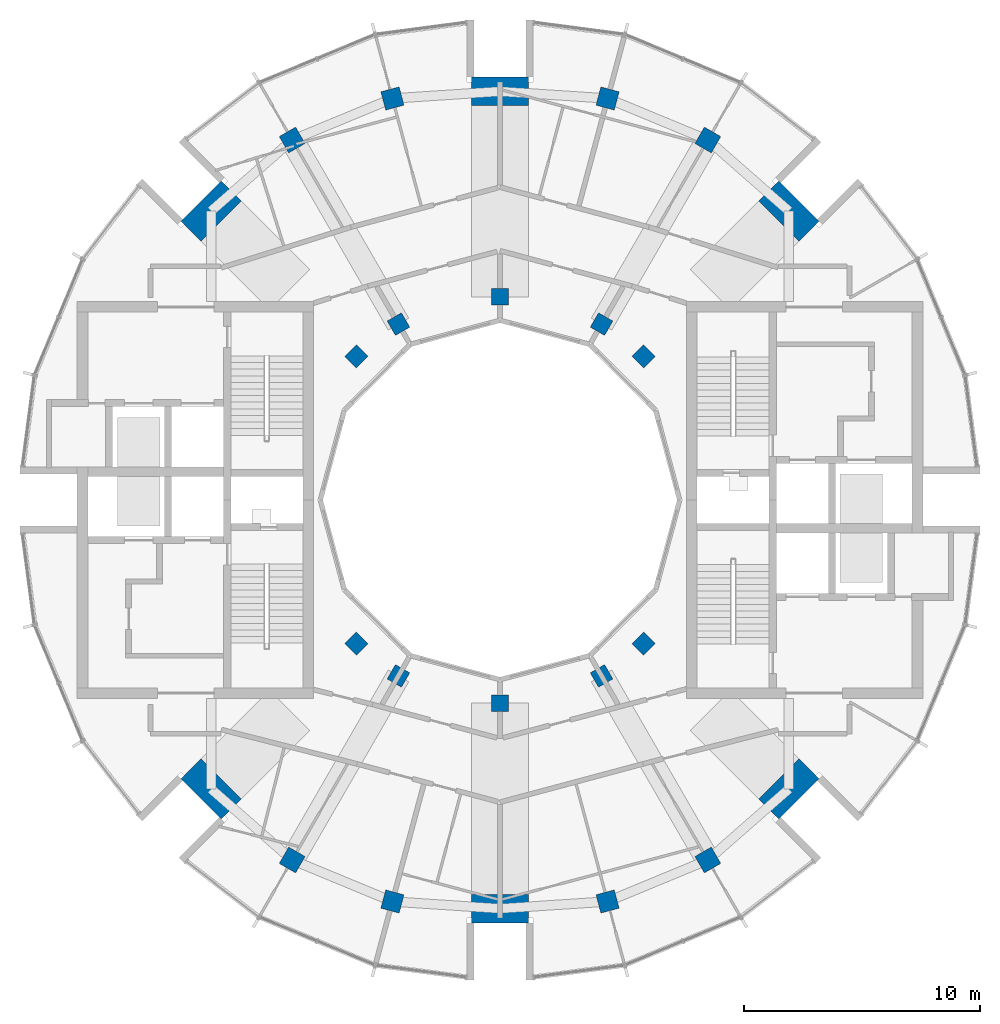
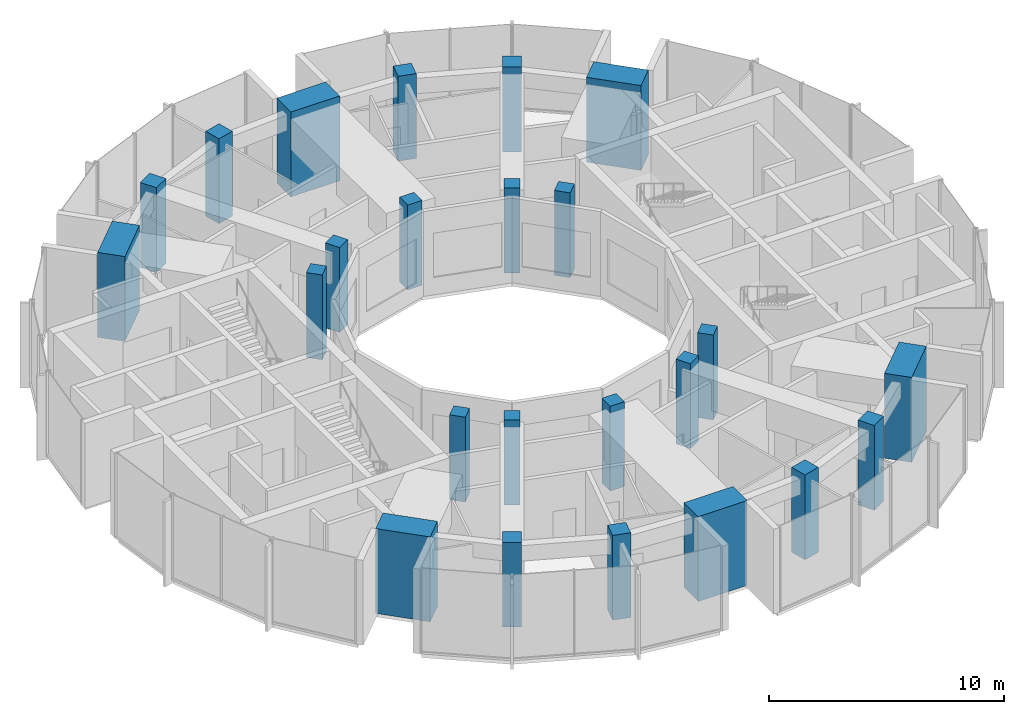
# One storey, part 1 of 13: 24 columns.
"""IFC4 building model written with IfcOpenShell, lengths in metres."""

from ifc_helpers import new_model, si_unit, direction, frame, origin, origin_2d, place, context, subcontext, project, spatial, rectangle, extrude, material, material_profile, profile_set, type_object, element, save


model = new_model("IFC4")

# Units and contexts
model_context = context("Model", 3, precision=1e-05, world=origin(), true_north=direction((0.0, 1.0)))
body_context = subcontext(model_context, "Body", "Model", "MODEL_VIEW")
ifc_project = project(units=[si_unit("LENGTHUNIT", "METRE"), si_unit("AREAUNIT", "SQUARE_METRE"), si_unit("VOLUMEUNIT", "CUBIC_METRE"), si_unit("PLANEANGLEUNIT", "RADIAN"), si_unit("MASSUNIT", "GRAM", prefix="KILO")], contexts=[model_context])

# Site, building, storey
site_placement = place(None, origin())
site = spatial("IfcSite", under=ifc_project, at=site_placement, CompositionType="ELEMENT")
building_placement = place(site_placement, origin())
building = spatial("IfcBuilding", under=site, at=building_placement, Name="Torre Brocal", CompositionType="ELEMENT")
storey_placement = place(building_placement, frame((0.0, 0.0, 323.699951171875)))
storey = spatial("IfcBuildingStorey", under=building, at=storey_placement, Name="L74", CompositionType="ELEMENT", Elevation=323.699951171875)

# Columns
ifc_material_1 = material(Name="Concrete C50", Category="concrete")
ifc_material_profile_1 = material_profile(ifc_material_1, rectangle(XDim=1.199951171875, YDim=2.39990234375, at=origin_2d()), Name="RC 1200X2400")
ifc_profile_set_1 = profile_set([ifc_material_profile_1], Name="Concrete C50")
column_type_1 = type_object("IfcColumnType", Name="RC COLUMN 1200X2400 C50", PredefinedType="COLUMN", material=ifc_profile_set_1)
for number, where, z_axis, x_axis, name in (
    (1, (92.23291015625, 87.23291015625, 0.0), (0.0, 0.0, 1.0), (0.707106781187, 0.707106781187, 0.0), "Column MCC-1"),
    (2, (80.0, 92.300048828125, 0.0), (0.0, 0.0, 1.0), (0.0, 1.0, 0.0), "Column MCC-2"),
    (3, (67.76708984375, 87.23291015625, 0.0), (0.0, 0.0, 1.0), (-0.707106781187, 0.707106781187, 0.0), "Column MCC-3"),
    (4, (67.76708984375, 62.76708984375, 0.0), (0.0, 0.0, 1.0), (-0.707106781187, -0.707106781187, 0.0), "Column MCC-5"),
    (5, (80.0, 57.699951171875, 0.0), (0.0, 0.0, 1.0), (0.0, -1.0, 0.0), "Column MCC-6"),
    (6, (92.23291015625, 62.76708984375, 0.0), (0.0, 0.0, 1.0), (0.707106781187, -0.707106781187, 0.0), "Column MCC-7"),
):
    element("IfcColumn", number, at=place(storey_placement, frame(where, z_axis=z_axis, x_axis=x_axis)), inside=storey, type_object=column_type_1, Name=name, PredefinedType="COLUMN", context=body_context, shape_type="SweptSolid", body=[
        extrude(rectangle(XDim=1.199951171875, YDim=2.39990234375, at=origin_2d()), origin(), (0.0, 0.0, 1.0), 4.400146484375),
    ])
ifc_material_2 = material(Name="Concrete C50", Category="concrete")
ifc_material_profile_2 = material_profile(ifc_material_2, rectangle(XDim=0.699951171875, YDim=0.699951171875, at=origin_2d()), Name="RC 700X700")
ifc_profile_set_2 = profile_set([ifc_material_profile_2], Name="Concrete C50")
column_type_2 = type_object("IfcColumnType", Name="RC COLUMN 700X700 C50", PredefinedType="COLUMN", material=ifc_profile_set_2)
for number, where, z_axis, x_axis, name in (
    (7, (86.0810546875, 81.0810546875, 0.0), (0.0, 0.0, 1.0), (0.707106781187, 0.707106781187, 0.0), "Column C-I03"),
    (8, (84.300048828125, 82.44775390625, 0.0), (0.0, 0.0, 1.0), (0.5, 0.866025403784, 0.0), "Column C-I04"),
    (9, (80.0, 83.60009765625, 0.0), (0.0, 0.0, 1.0), (0.0, 1.0, 0.0), "Column C-I06"),
    (10, (75.699951171875, 82.44775390625, 0.0), (0.0, 0.0, 1.0), (-0.5, 0.866025403784, 0.0), "Column C-I08"),
    (11, (73.9189453125, 81.0810546875, 0.0), (0.0, 0.0, 1.0), (-0.707106781187, 0.707106781187, 0.0), "Column C-I09"),
    (12, (73.9189453125, 68.9189453125, 0.0), (0.0, 0.0, 1.0), (-0.707106781187, -0.707106781187, 0.0), "Column C-I15"),
    (13, (75.699951171875, 67.55224609375, 0.0), (0.0, 0.0, 1.0), (-0.5, -0.866025403784, 0.0), "Column C-I16"),
    (14, (80.0, 66.39990234375, 0.0), (0.0, 0.0, 1.0), (0.0, -1.0, 0.0), "Column C-I18"),
    (15, (84.300048828125, 67.55224609375, 0.0), (0.0, 0.0, 1.0), (0.5, -0.866025403784, 0.0), "Column C-I20"),
    (16, (86.0810546875, 68.9189453125, 0.0), (0.0, 0.0, 1.0), (0.707106781187, -0.707106781187, 0.0), "Column C-I21"),
):
    element("IfcColumn", number, at=place(storey_placement, frame(where, z_axis=z_axis, x_axis=x_axis)), inside=storey, type_object=column_type_2, Name=name, PredefinedType="COLUMN", context=body_context, shape_type="SweptSolid", body=[
        extrude(rectangle(XDim=0.699951171875, YDim=0.699951171875, at=origin_2d()), origin(), (0.0, 0.0, 1.0), 4.400146484375),
    ])
ifc_material_3 = material(Name="Concrete C50", Category="concrete")
ifc_material_profile_3 = material_profile(ifc_material_3, rectangle(XDim=0.800048828125, YDim=0.800048828125, at=origin_2d()), Name="RC 800X800")
ifc_profile_set_3 = profile_set([ifc_material_profile_3], Name="Concrete C50")
column_type_3 = type_object("IfcColumnType", Name="RC COLUMN 800X800 C50", PredefinedType="COLUMN", material=ifc_profile_set_3)
for number, where, z_axis, x_axis, name in (
    (17, (88.800048828125, 90.241943359375, 0.0), (0.0, 0.0, 1.0), (0.5, 0.866025403784, 0.0), "Column C-M04"),
    (18, (84.55517578125, 92.000244140625, 0.0), (0.0, 0.0, 1.0), (0.258819045103, 0.965925826289, 0.0), "Column C-M05"),
    (19, (75.44482421875, 92.000244140625, 0.0), (0.0, 0.0, 1.0), (-0.258819045103, 0.965925826289, 0.0), "Column C-M07"),
    (20, (71.199951171875, 90.241943359375, 0.0), (0.0, 0.0, 1.0), (-0.5, 0.866025403784, 0.0), "Column C-M08"),
    (21, (71.199951171875, 59.758056640625, 0.0), (0.0, 0.0, 1.0), (-0.5, -0.866025403784, 0.0), "Column C-M16"),
    (22, (75.44482421875, 57.999755859375, 0.0), (0.0, 0.0, 1.0), (-0.258819045103, -0.965925826289, 0.0), "Column C-M17"),
    (23, (84.55517578125, 57.999755859375, 0.0), (0.0, 0.0, 1.0), (0.258819045103, -0.965925826289, 0.0), "Column C-M19"),
    (24, (88.800048828125, 59.758056640625, 0.0), (0.0, 0.0, 1.0), (0.5, -0.866025403784, 0.0), "Column C-M20"),
):
    element("IfcColumn", number, at=place(storey_placement, frame(where, z_axis=z_axis, x_axis=x_axis)), inside=storey, type_object=column_type_3, Name=name, PredefinedType="COLUMN", context=body_context, shape_type="SweptSolid", body=[
        extrude(rectangle(XDim=0.800048828125, YDim=0.800048828125, at=origin_2d()), origin(), (0.0, 0.0, 1.0), 4.400146484375),
    ])

save(model, "model.ifc")
